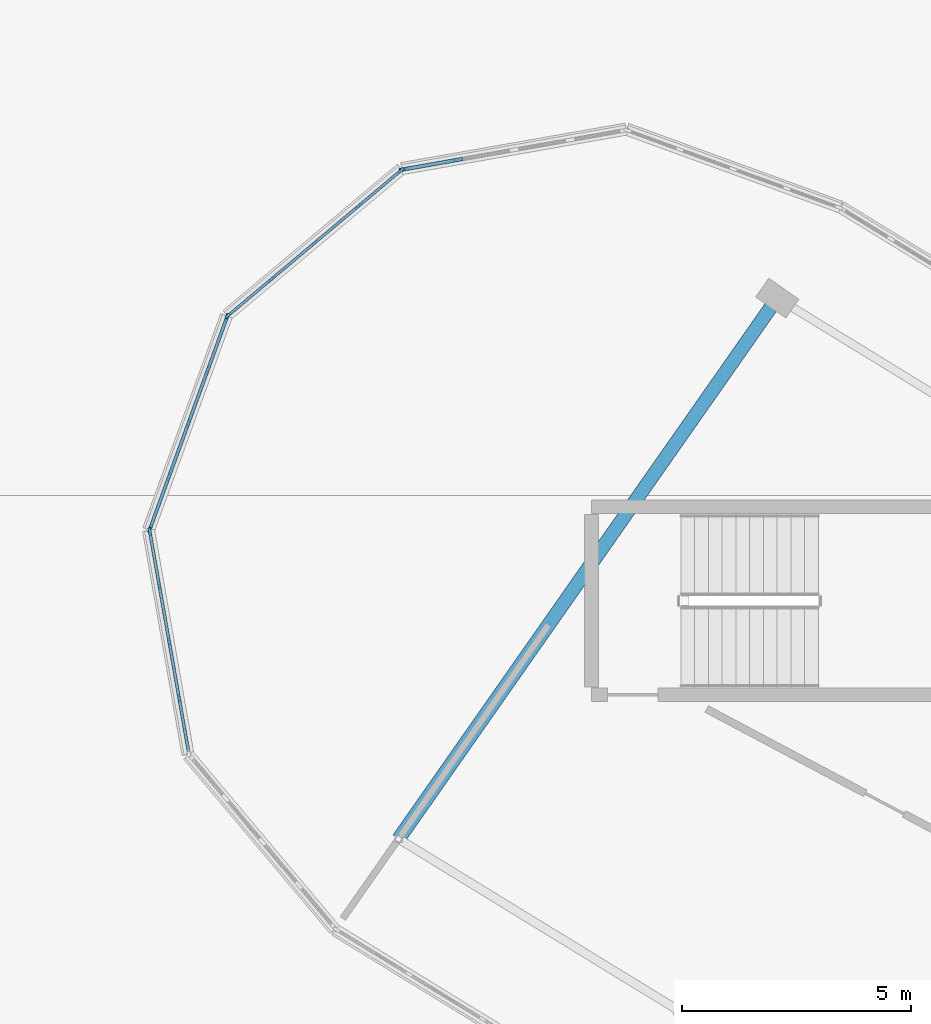
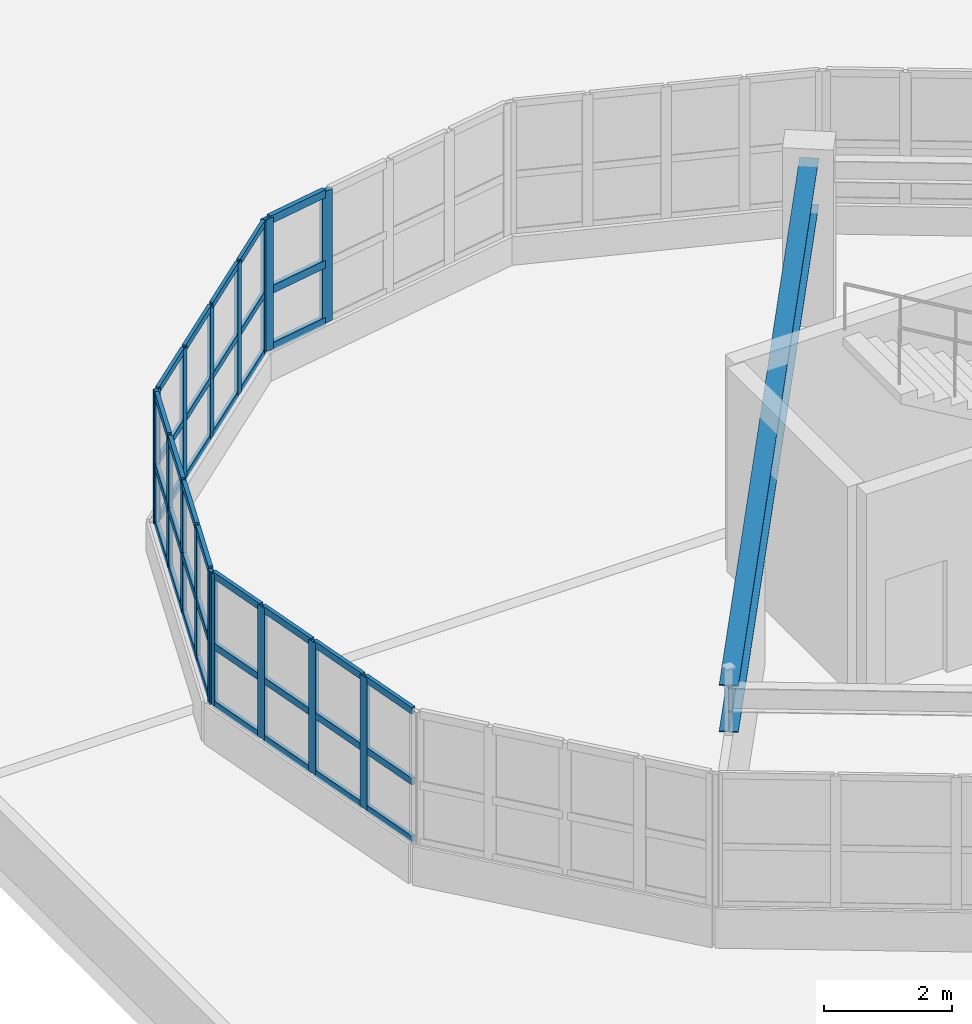
# One storey, part 27 of 128: 55 members, 1 beam, 4 elements without a shape of their own.
"""IFC4 building model written with IfcOpenShell, lengths in metres."""

from ifc_helpers import new_model, si_unit, direction, frame, origin, origin_2d, place, context, subcontext, project, spatial, rectangle, i_section, extrude, material, layer, layer_set, material_profile, profile_set, type_object, element, aggregate, save


model = new_model("IFC4")

# Units and contexts
model_context = context("Model", 3, precision=1e-05, world=origin(), true_north=direction((0.0, 1.0)))
body_context = subcontext(model_context, "Body", "Model", "MODEL_VIEW")
ifc_project = project(units=[si_unit("LENGTHUNIT", "METRE"), si_unit("AREAUNIT", "SQUARE_METRE"), si_unit("VOLUMEUNIT", "CUBIC_METRE"), si_unit("PLANEANGLEUNIT", "RADIAN"), si_unit("MASSUNIT", "GRAM", prefix="KILO")], contexts=[model_context])

# Site, building, storey
site_placement = place(None, origin())
site = spatial("IfcSite", under=ifc_project, at=site_placement, CompositionType="ELEMENT")
building_placement = place(site_placement, origin())
building = spatial("IfcBuilding", under=site, at=building_placement, Name="Tarnwether General Hospital", CompositionType="ELEMENT")
storey_placement = place(building_placement, frame((0.0, 0.0, 14.39990234375)))
storey = spatial("IfcBuildingStorey", under=building, at=storey_placement, Name="L03", CompositionType="ELEMENT", Elevation=14.39990234375)

# Beam
ifc_material_1 = material(Name="Steel Grade 350 (350 MPa)", Category="steel")
ifc_material_profile_1 = material_profile(ifc_material_1, i_section(OverallWidth=0.300048828125, OverallDepth=0.89990234375, WebThickness=0.011962890625, FlangeThickness=0.02001953125, at=origin_2d()), Name="900WB175")
ifc_profile_set_1 = profile_set([ifc_material_profile_1], Name="Steel Grade 350 (350 MPa)")
beam_type = type_object("IfcBeamType", Name="BM-G01", PredefinedType="BEAM", material=ifc_profile_set_1)
beam_placement = place(storey_placement, frame((58.0439453125, 14.506103515625, 3.110107421875), z_axis=(0.573596601347, 0.819137924237, 0.0), x_axis=(-0.819137924237, 0.573596601347, 0.0)))
element("IfcBeam", 1, at=beam_placement, inside=storey, type_object=beam_type, Name="Curved Ward SE Radial Girder BMG-L03-5804_1451-6630_2630-2098", PredefinedType="BEAM", context=body_context, shape_type="SweptSolid", body=[
    extrude(i_section(OverallWidth=0.300048828125, OverallDepth=0.89990234375, WebThickness=0.011962890625, FlangeThickness=0.02001953125, at=origin_2d()), origin(), (0.0, 0.0, 1.0), 14.400390625),
])

# Curtain wall, members
ifc_material_2 = material(Name="Anodised aluminium", Category="aluminium")
ifc_layer = layer(ifc_material_2, 0.159912109375)
ifc_layer_set = layer_set([ifc_layer], Name="Anodised aluminium")
curtain_wall_type = type_object("IfcCurtainWallType", Name="CW-04", PredefinedType="NOTDEFINED", material=ifc_layer_set)
curtain_wall_1_placement = place(storey_placement, origin())
curtain_wall_1 = element("IfcCurtainWall", 2, at=curtain_wall_1_placement, inside=storey, type_object=curtain_wall_type, Name="Curtain Wall CWG-L03-543_259-0182", PredefinedType="NOTDEFINED")
ifc_material_3 = material(Name="Anodised aluminium", Category="aluminium")
ifc_material_profile_2 = material_profile(ifc_material_3, rectangle(XDim=0.06005859375, YDim=0.159912109375, at=origin_2d()), Name="ALU-MUL-60x160")
ifc_profile_set_2 = profile_set([ifc_material_profile_2], Name="Anodised aluminium")
member_type_1 = type_object("IfcMemberType", Name="CW-ML1", PredefinedType="MULLION", material=ifc_profile_set_2)
member_1_placement = place(storey_placement, frame((54.3330078125, 25.92919921875, 1.050048828125), z_axis=(0.0, 0.0, 1.0), x_axis=(-0.64285227611, 0.765990176896, 0.0)))
member_1 = element("IfcMember", 3, at=member_1_placement, type_object=member_type_1, Name="CW-04 mullion 1", PredefinedType="MULLION", context=body_context, shape_type="SweptSolid", body=[
    extrude(rectangle(XDim=0.06005859375, YDim=0.159912109375, at=origin_2d()), origin(), (0.0, 0.0, 1.0), 2.510009765625),
])
member_2_placement = place(storey_placement, frame((55.26171875, 26.708740234375, 1.050048828125), z_axis=(0.0, 0.0, 1.0), x_axis=(-0.64285227611, 0.765990176896, 0.0)))
member_2 = element("IfcMember", 4, at=member_2_placement, type_object=member_type_1, Name="CW-04 mullion 2", PredefinedType="MULLION", context=body_context, shape_type="SweptSolid", body=[
    extrude(rectangle(XDim=0.06005859375, YDim=0.159912109375, at=origin_2d()), origin(), (0.0, 0.0, 1.0), 2.510009765625),
])
member_3_placement = place(storey_placement, frame((56.21337890625, 27.507568359375, 1.050048828125), z_axis=(0.0, 0.0, 1.0), x_axis=(-0.64285227611, 0.765990176896, 0.0)))
member_3 = element("IfcMember", 5, at=member_3_placement, type_object=member_type_1, Name="CW-04 mullion 3", PredefinedType="MULLION", context=body_context, shape_type="SweptSolid", body=[
    extrude(rectangle(XDim=0.06005859375, YDim=0.159912109375, at=origin_2d()), origin(), (0.0, 0.0, 1.0), 2.510009765625),
])
member_4_placement = place(storey_placement, frame((57.165283203125, 28.30615234375, 1.050048828125), z_axis=(0.0, 0.0, 1.0), x_axis=(-0.64285227611, 0.765990176896, 0.0)))
member_4 = element("IfcMember", 6, at=member_4_placement, type_object=member_type_1, Name="CW-04 mullion 4", PredefinedType="MULLION", context=body_context, shape_type="SweptSolid", body=[
    extrude(rectangle(XDim=0.06005859375, YDim=0.159912109375, at=origin_2d()), origin(), (0.0, 0.0, 1.0), 2.510009765625),
])
member_5_placement = place(storey_placement, frame((58.093994140625, 29.085693359375, 1.050048828125), z_axis=(0.0, 0.0, 1.0), x_axis=(-0.64285227611, 0.765990176896, 0.0)))
member_5 = element("IfcMember", 7, at=member_5_placement, type_object=member_type_1, Name="CW-04 mullion 5", PredefinedType="MULLION", context=body_context, shape_type="SweptSolid", body=[
    extrude(rectangle(XDim=0.06005859375, YDim=0.159912109375, at=origin_2d()), origin(), (0.0, 0.0, 1.0), 2.510009765625),
])

curtain_wall_2_placement = place(storey_placement, origin())
curtain_wall_2 = element("IfcCurtainWall", 8, at=curtain_wall_2_placement, inside=storey, type_object=curtain_wall_type, Name="Curtain Wall CWG-L03-526_212-0183", PredefinedType="NOTDEFINED")
ifc_material_4 = material(Name="Anodised aluminium", Category="aluminium")
ifc_material_profile_3 = material_profile(ifc_material_4, rectangle(XDim=0.070068359375, YDim=0.179931640625, at=origin_2d()), Name="ALU-MUL-70x180")
ifc_profile_set_3 = profile_set([ifc_material_profile_3], Name="Anodised aluminium")
member_type_2 = type_object("IfcMemberType", Name="CW-ML2", PredefinedType="MULLION", material=ifc_profile_set_3)
member_6_placement = place(storey_placement, frame((52.623046875, 21.27392578125, 1.050048828125), z_axis=(0.0, 0.0, 1.0), x_axis=(-0.939717006582, 0.341953136469, 0.0)))
member_6 = element("IfcMember", 9, at=member_6_placement, type_object=member_type_2, Name="CW-04 mullion 1", PredefinedType="MULLION", context=body_context, shape_type="SweptSolid", body=[
    extrude(rectangle(XDim=0.070068359375, YDim=0.179931640625, at=origin_2d()), origin(), (0.0, 0.0, 1.0), 2.510009765625),
])
member_7_placement = place(storey_placement, frame((53.03564453125, 22.408203125, 1.050048828125), z_axis=(0.0, 0.0, 1.0), x_axis=(-0.939717006582, 0.341953136469, 0.0)))
member_7 = element("IfcMember", 10, at=member_7_placement, type_object=member_type_2, Name="CW-04 mullion 2", PredefinedType="MULLION", context=body_context, shape_type="SweptSolid", body=[
    extrude(rectangle(XDim=0.070068359375, YDim=0.179931640625, at=origin_2d()), origin(), (0.0, 0.0, 1.0), 2.510009765625),
])
member_8_placement = place(storey_placement, frame((53.46044921875, 23.575439453125, 1.050048828125), z_axis=(0.0, 0.0, 1.0), x_axis=(-0.939717006582, 0.341953136469, 0.0)))
member_8 = element("IfcMember", 11, at=member_8_placement, type_object=member_type_2, Name="CW-04 mullion 3", PredefinedType="MULLION", context=body_context, shape_type="SweptSolid", body=[
    extrude(rectangle(XDim=0.070068359375, YDim=0.179931640625, at=origin_2d()), origin(), (0.0, 0.0, 1.0), 2.510009765625),
])
member_9_placement = place(storey_placement, frame((53.88525390625, 24.74267578125, 1.050048828125), z_axis=(0.0, 0.0, 1.0), x_axis=(-0.939717006582, 0.341953136469, 0.0)))
member_9 = element("IfcMember", 12, at=member_9_placement, type_object=member_type_2, Name="CW-04 mullion 4", PredefinedType="MULLION", context=body_context, shape_type="SweptSolid", body=[
    extrude(rectangle(XDim=0.070068359375, YDim=0.179931640625, at=origin_2d()), origin(), (0.0, 0.0, 1.0), 2.510009765625),
])
member_10_placement = place(storey_placement, frame((54.298095703125, 25.877197265625, 1.050048828125), z_axis=(0.0, 0.0, 1.0), x_axis=(-0.939717006582, 0.341953136469, 0.0)))
member_10 = element("IfcMember", 13, at=member_10_placement, type_object=member_type_2, Name="CW-04 mullion 5", PredefinedType="MULLION", context=body_context, shape_type="SweptSolid", body=[
    extrude(rectangle(XDim=0.070068359375, YDim=0.179931640625, at=origin_2d()), origin(), (0.0, 0.0, 1.0), 2.510009765625),
])

curtain_wall_3_placement = place(storey_placement, origin())
curtain_wall_3 = element("IfcCurtainWall", 14, at=curtain_wall_3_placement, inside=storey, type_object=curtain_wall_type, Name="Curtain Wall CWG-L03-535_163-0184", PredefinedType="NOTDEFINED")
ifc_material_5 = material(Name="Anodised aluminium", Category="aluminium")
ifc_material_profile_4 = material_profile(ifc_material_5, rectangle(XDim=0.06494140625, YDim=0.169921875, at=origin_2d()), Name="ALU-MUL-65x170")
ifc_profile_set_4 = profile_set([ifc_material_profile_4], Name="Anodised aluminium")
member_type_3 = type_object("IfcMemberType", Name="CW-ML3", PredefinedType="MULLION", material=ifc_profile_set_4)
member_11_placement = place(storey_placement, frame((53.257568359375, 17.570556640625, 1.050048828125), z_axis=(0.0, 0.0, 1.0), x_axis=(-0.984840230098, -0.173463890135, 0.0)))
member_11 = element("IfcMember", 15, at=member_11_placement, type_object=member_type_3, Name="CW-04 mullion 2", PredefinedType="MULLION", context=body_context, shape_type="SweptSolid", body=[
    extrude(rectangle(XDim=0.06494140625, YDim=0.169921875, at=origin_2d()), origin(), (0.0, 0.0, 1.0), 2.510009765625),
])
member_12_placement = place(storey_placement, frame((53.0419921875, 18.7939453125, 1.050048828125), z_axis=(0.0, 0.0, 1.0), x_axis=(-0.984840230098, -0.173463890135, 0.0)))
member_12 = element("IfcMember", 16, at=member_12_placement, type_object=member_type_3, Name="CW-04 mullion 3", PredefinedType="MULLION", context=body_context, shape_type="SweptSolid", body=[
    extrude(rectangle(XDim=0.06494140625, YDim=0.169921875, at=origin_2d()), origin(), (0.0, 0.0, 1.0), 2.510009765625),
])
member_13_placement = place(storey_placement, frame((52.826416015625, 20.017578125, 1.050048828125), z_axis=(0.0, 0.0, 1.0), x_axis=(-0.984840230098, -0.173463890135, 0.0)))
member_13 = element("IfcMember", 17, at=member_13_placement, type_object=member_type_3, Name="CW-04 mullion 4", PredefinedType="MULLION", context=body_context, shape_type="SweptSolid", body=[
    extrude(rectangle(XDim=0.06494140625, YDim=0.169921875, at=origin_2d()), origin(), (0.0, 0.0, 1.0), 2.510009765625),
])
member_14_placement = place(storey_placement, frame((52.61669921875, 21.208984375, 1.050048828125), z_axis=(0.0, 0.0, 1.0), x_axis=(-0.984840230098, -0.173463890135, 0.0)))
member_14 = element("IfcMember", 18, at=member_14_placement, type_object=member_type_3, Name="CW-04 mullion 5", PredefinedType="MULLION", context=body_context, shape_type="SweptSolid", body=[
    extrude(rectangle(XDim=0.06494140625, YDim=0.169921875, at=origin_2d()), origin(), (0.0, 0.0, 1.0), 2.510009765625),
])

curtain_wall_4_placement = place(storey_placement, origin())
curtain_wall_4 = element("IfcCurtainWall", 19, at=curtain_wall_4_placement, inside=storey, type_object=curtain_wall_type, Name="Curtain Wall CWG-L03-581_291-0181", PredefinedType="NOTDEFINED")
ifc_material_6 = material(Name="Anodised aluminium", Category="aluminium")
ifc_material_profile_5 = material_profile(ifc_material_6, rectangle(XDim=0.080078125, YDim=0.199951171875, at=origin_2d()), Name="ALU-MUL-80x200")
ifc_profile_set_5 = profile_set([ifc_material_profile_5], Name="Anodised aluminium")
member_type_4 = type_object("IfcMemberType", Name="CW-ML4", PredefinedType="MULLION", material=ifc_profile_set_5)
member_15_placement = place(storey_placement, frame((58.156494140625, 29.112060546875, 1.050048828125), z_axis=(0.0, 0.0, 1.0), x_axis=(-0.173659059054, 0.984805834268, 0.0)))
member_15 = element("IfcMember", 20, at=member_15_placement, type_object=member_type_4, Name="CW-04 mullion 1", PredefinedType="MULLION", context=body_context, shape_type="SweptSolid", body=[
    extrude(rectangle(XDim=0.080078125, YDim=0.199951171875, at=origin_2d()), origin(), (0.0, 0.0, 1.0), 2.510009765625),
])
member_16_placement = place(storey_placement, frame((59.340576171875, 29.32080078125, 1.050048828125), z_axis=(0.0, 0.0, 1.0), x_axis=(-0.173659059054, 0.984805834268, 0.0)))
member_16 = element("IfcMember", 21, at=member_16_placement, type_object=member_type_4, Name="CW-04 mullion 2", PredefinedType="MULLION", context=body_context, shape_type="SweptSolid", body=[
    extrude(rectangle(XDim=0.080078125, YDim=0.199951171875, at=origin_2d()), origin(), (0.0, 0.0, 1.0), 2.510009765625),
])

# Member
ifc_material_7 = material(Name="Anodised aluminium", Category="aluminium")
ifc_material_profile_6 = material_profile(ifc_material_7, rectangle(XDim=0.06005859375, YDim=0.1201171875, at=origin_2d()), Name="ALU-TRN-60x120")
ifc_profile_set_6 = profile_set([ifc_material_profile_6], Name="Anodised aluminium")
member_type_5 = type_object("IfcMemberType", Name="CW-TR1", PredefinedType="USERDEFINED", material=ifc_profile_set_6)
member_17_placement = place(storey_placement, frame((54.35595703125, 25.948486328125, 1.080078125), z_axis=(0.765959352555, 0.642889003043, 0.0), x_axis=(-0.642889003043, 0.765959352555, 0.0)))
member_17 = element("IfcMember", 22, at=member_17_placement, type_object=member_type_5, Name="CW-04 transom 1.1", ObjectType="TRANSOM", PredefinedType="USERDEFINED", context=body_context, shape_type="SweptSolid", body=[
    extrude(rectangle(XDim=0.06005859375, YDim=0.1201171875, at=origin_2d()), origin(), (0.0, 0.0, 1.0), 1.152587890625),
])

member_18_placement = place(storey_placement, frame((54.35595703125, 25.948486328125, 2.1796875), z_axis=(0.765959352555, 0.642889003043, 0.0), x_axis=(-0.642889003043, 0.765959352555, 0.0)))
member_18 = element("IfcMember", 23, at=member_18_placement, type_object=member_type_5, Name="CW-04 transom 1.2", ObjectType="TRANSOM", PredefinedType="USERDEFINED", context=body_context, shape_type="SweptSolid", body=[
    extrude(rectangle(XDim=0.06005859375, YDim=0.1201171875, at=origin_2d()), origin(), (0.0, 0.0, 1.0), 1.152587890625),
])

member_19_placement = place(storey_placement, frame((54.35595703125, 25.948486328125, 3.530029296875), z_axis=(0.765959352555, 0.642889003043, 0.0), x_axis=(-0.642889003043, 0.765959352555, 0.0)))
member_19 = element("IfcMember", 24, at=member_19_placement, type_object=member_type_5, Name="CW-04 transom 1.3", ObjectType="TRANSOM", PredefinedType="USERDEFINED", context=body_context, shape_type="SweptSolid", body=[
    extrude(rectangle(XDim=0.06005859375, YDim=0.1201171875, at=origin_2d()), origin(), (0.0, 0.0, 1.0), 1.152587890625),
])

member_20_placement = place(storey_placement, frame((55.28466796875, 26.72802734375, 1.080078125), z_axis=(0.765948837417, 0.642901530921, 0.0), x_axis=(-0.642901530921, 0.765948837417, 0.0)))
member_20 = element("IfcMember", 25, at=member_20_placement, type_object=member_type_5, Name="CW-04 transom 2.1", ObjectType="TRANSOM", PredefinedType="USERDEFINED", context=body_context, shape_type="SweptSolid", body=[
    extrude(rectangle(XDim=0.06005859375, YDim=0.1201171875, at=origin_2d()), origin(), (0.0, 0.0, 1.0), 1.1826171875),
])

member_21_placement = place(storey_placement, frame((55.28466796875, 26.72802734375, 2.1796875), z_axis=(0.765948837417, 0.642901530921, 0.0), x_axis=(-0.642901530921, 0.765948837417, 0.0)))
member_21 = element("IfcMember", 26, at=member_21_placement, type_object=member_type_5, Name="CW-04 transom 2.2", ObjectType="TRANSOM", PredefinedType="USERDEFINED", context=body_context, shape_type="SweptSolid", body=[
    extrude(rectangle(XDim=0.06005859375, YDim=0.1201171875, at=origin_2d()), origin(), (0.0, 0.0, 1.0), 1.1826171875),
])

member_22_placement = place(storey_placement, frame((55.28466796875, 26.72802734375, 3.530029296875), z_axis=(0.765948837417, 0.642901530921, 0.0), x_axis=(-0.642901530921, 0.765948837417, 0.0)))
member_22 = element("IfcMember", 27, at=member_22_placement, type_object=member_type_5, Name="CW-04 transom 2.3", ObjectType="TRANSOM", PredefinedType="USERDEFINED", context=body_context, shape_type="SweptSolid", body=[
    extrude(rectangle(XDim=0.06005859375, YDim=0.1201171875, at=origin_2d()), origin(), (0.0, 0.0, 1.0), 1.1826171875),
])

member_23_placement = place(storey_placement, frame((56.236572265625, 27.52685546875, 1.080078125), z_axis=(0.766050506006, 0.64278038415, 0.0), x_axis=(-0.64278038415, 0.766050506006, 0.0)))
member_23 = element("IfcMember", 28, at=member_23_placement, type_object=member_type_5, Name="CW-04 transom 3.1", ObjectType="TRANSOM", PredefinedType="USERDEFINED", context=body_context, shape_type="SweptSolid", body=[
    extrude(rectangle(XDim=0.06005859375, YDim=0.1201171875, at=origin_2d()), origin(), (0.0, 0.0, 1.0), 1.182373046875),
])

member_24_placement = place(storey_placement, frame((56.236572265625, 27.52685546875, 2.1796875), z_axis=(0.766050506006, 0.64278038415, 0.0), x_axis=(-0.64278038415, 0.766050506006, 0.0)))
member_24 = element("IfcMember", 29, at=member_24_placement, type_object=member_type_5, Name="CW-04 transom 3.2", ObjectType="TRANSOM", PredefinedType="USERDEFINED", context=body_context, shape_type="SweptSolid", body=[
    extrude(rectangle(XDim=0.06005859375, YDim=0.1201171875, at=origin_2d()), origin(), (0.0, 0.0, 1.0), 1.182373046875),
])

member_25_placement = place(storey_placement, frame((56.236572265625, 27.52685546875, 3.530029296875), z_axis=(0.766050506006, 0.64278038415, 0.0), x_axis=(-0.64278038415, 0.766050506006, 0.0)))
member_25 = element("IfcMember", 30, at=member_25_placement, type_object=member_type_5, Name="CW-04 transom 3.3", ObjectType="TRANSOM", PredefinedType="USERDEFINED", context=body_context, shape_type="SweptSolid", body=[
    extrude(rectangle(XDim=0.06005859375, YDim=0.1201171875, at=origin_2d()), origin(), (0.0, 0.0, 1.0), 1.182373046875),
])

member_26_placement = place(storey_placement, frame((57.188232421875, 28.325439453125, 1.080078125), z_axis=(0.765959352555, 0.642889003043, 0.0), x_axis=(-0.642889003043, 0.765959352555, 0.0)))
member_26 = element("IfcMember", 31, at=member_26_placement, type_object=member_type_5, Name="CW-04 transom 4.1", ObjectType="TRANSOM", PredefinedType="USERDEFINED", context=body_context, shape_type="SweptSolid", body=[
    extrude(rectangle(XDim=0.06005859375, YDim=0.1201171875, at=origin_2d()), origin(), (0.0, 0.0, 1.0), 1.152587890625),
])

member_27_placement = place(storey_placement, frame((57.188232421875, 28.325439453125, 2.1796875), z_axis=(0.765959352555, 0.642889003043, 0.0), x_axis=(-0.642889003043, 0.765959352555, 0.0)))
member_27 = element("IfcMember", 32, at=member_27_placement, type_object=member_type_5, Name="CW-04 transom 4.2", ObjectType="TRANSOM", PredefinedType="USERDEFINED", context=body_context, shape_type="SweptSolid", body=[
    extrude(rectangle(XDim=0.06005859375, YDim=0.1201171875, at=origin_2d()), origin(), (0.0, 0.0, 1.0), 1.152587890625),
])

member_28_placement = place(storey_placement, frame((57.188232421875, 28.325439453125, 3.530029296875), z_axis=(0.765959352555, 0.642889003043, 0.0), x_axis=(-0.642889003043, 0.765959352555, 0.0)))
member_28 = element("IfcMember", 33, at=member_28_placement, type_object=member_type_5, Name="CW-04 transom 4.3", ObjectType="TRANSOM", PredefinedType="USERDEFINED", context=body_context, shape_type="SweptSolid", body=[
    extrude(rectangle(XDim=0.06005859375, YDim=0.1201171875, at=origin_2d()), origin(), (0.0, 0.0, 1.0), 1.152587890625),
])

aggregate(curtain_wall_1, [member_1, member_2, member_3, member_4, member_5, member_17, member_18, member_19, member_20, member_21, member_22, member_23, member_24, member_25, member_26, member_27, member_28])

ifc_material_8 = material(Name="Anodised aluminium", Category="aluminium")
ifc_material_profile_7 = material_profile(ifc_material_8, rectangle(XDim=0.070068359375, YDim=0.139892578125, at=origin_2d()), Name="ALU-TRN-70x140")
ifc_profile_set_7 = profile_set([ifc_material_profile_7], Name="Anodised aluminium")
member_type_6 = type_object("IfcMemberType", Name="CW-TR2", PredefinedType="USERDEFINED", material=ifc_profile_set_7)
member_29_placement = place(storey_placement, frame((52.635009765625, 21.306884765625, 1.085205078125), z_axis=(0.341881000608, 0.939743252928, 0.0), x_axis=(-0.939743252928, 0.341881000608, 0.0)))
member_29 = element("IfcMember", 34, at=member_29_placement, type_object=member_type_6, Name="CW-04 transom 1.1", ObjectType="TRANSOM", PredefinedType="USERDEFINED", context=body_context, shape_type="SweptSolid", body=[
    extrude(rectangle(XDim=0.070068359375, YDim=0.139892578125, at=origin_2d()), origin(), (0.0, 0.0, 1.0), 1.136962890625),
])

member_30_placement = place(storey_placement, frame((52.635009765625, 21.306884765625, 2.1796875), z_axis=(0.341881000608, 0.939743252928, 0.0), x_axis=(-0.939743252928, 0.341881000608, 0.0)))
member_30 = element("IfcMember", 35, at=member_30_placement, type_object=member_type_6, Name="CW-04 transom 1.2", ObjectType="TRANSOM", PredefinedType="USERDEFINED", context=body_context, shape_type="SweptSolid", body=[
    extrude(rectangle(XDim=0.070068359375, YDim=0.139892578125, at=origin_2d()), origin(), (0.0, 0.0, 1.0), 1.136962890625),
])

member_31_placement = place(storey_placement, frame((52.635009765625, 21.306884765625, 3.525146484375), z_axis=(0.341881000608, 0.939743252928, 0.0), x_axis=(-0.939743252928, 0.341881000608, 0.0)))
member_31 = element("IfcMember", 36, at=member_31_placement, type_object=member_type_6, Name="CW-04 transom 1.3", ObjectType="TRANSOM", PredefinedType="USERDEFINED", context=body_context, shape_type="SweptSolid", body=[
    extrude(rectangle(XDim=0.070068359375, YDim=0.139892578125, at=origin_2d()), origin(), (0.0, 0.0, 1.0), 1.136962890625),
])

member_32_placement = place(storey_placement, frame((53.047607421875, 22.441162109375, 1.085205078125), z_axis=(0.341977164717, 0.939708262607, 0.0), x_axis=(-0.939708262607, 0.341977164717, 0.0)))
member_32 = element("IfcMember", 37, at=member_32_placement, type_object=member_type_6, Name="CW-04 transom 2.1", ObjectType="TRANSOM", PredefinedType="USERDEFINED", context=body_context, shape_type="SweptSolid", body=[
    extrude(rectangle(XDim=0.070068359375, YDim=0.139892578125, at=origin_2d()), origin(), (0.0, 0.0, 1.0), 1.172119140625),
])

member_33_placement = place(storey_placement, frame((53.047607421875, 22.441162109375, 2.1796875), z_axis=(0.341977164717, 0.939708262607, 0.0), x_axis=(-0.939708262607, 0.341977164717, 0.0)))
member_33 = element("IfcMember", 38, at=member_33_placement, type_object=member_type_6, Name="CW-04 transom 2.2", ObjectType="TRANSOM", PredefinedType="USERDEFINED", context=body_context, shape_type="SweptSolid", body=[
    extrude(rectangle(XDim=0.070068359375, YDim=0.139892578125, at=origin_2d()), origin(), (0.0, 0.0, 1.0), 1.172119140625),
])

member_34_placement = place(storey_placement, frame((53.047607421875, 22.441162109375, 3.525146484375), z_axis=(0.341977164717, 0.939708262607, 0.0), x_axis=(-0.939708262607, 0.341977164717, 0.0)))
member_34 = element("IfcMember", 39, at=member_34_placement, type_object=member_type_6, Name="CW-04 transom 2.3", ObjectType="TRANSOM", PredefinedType="USERDEFINED", context=body_context, shape_type="SweptSolid", body=[
    extrude(rectangle(XDim=0.070068359375, YDim=0.139892578125, at=origin_2d()), origin(), (0.0, 0.0, 1.0), 1.172119140625),
])

member_35_placement = place(storey_placement, frame((53.472412109375, 23.6083984375, 1.085205078125), z_axis=(0.341977164717, 0.939708262607, 0.0), x_axis=(-0.939708262607, 0.341977164717, 0.0)))
member_35 = element("IfcMember", 40, at=member_35_placement, type_object=member_type_6, Name="CW-04 transom 3.1", ObjectType="TRANSOM", PredefinedType="USERDEFINED", context=body_context, shape_type="SweptSolid", body=[
    extrude(rectangle(XDim=0.070068359375, YDim=0.139892578125, at=origin_2d()), origin(), (0.0, 0.0, 1.0), 1.172119140625),
])

member_36_placement = place(storey_placement, frame((53.472412109375, 23.6083984375, 2.1796875), z_axis=(0.341977164717, 0.939708262607, 0.0), x_axis=(-0.939708262607, 0.341977164717, 0.0)))
member_36 = element("IfcMember", 41, at=member_36_placement, type_object=member_type_6, Name="CW-04 transom 3.2", ObjectType="TRANSOM", PredefinedType="USERDEFINED", context=body_context, shape_type="SweptSolid", body=[
    extrude(rectangle(XDim=0.070068359375, YDim=0.139892578125, at=origin_2d()), origin(), (0.0, 0.0, 1.0), 1.172119140625),
])

member_37_placement = place(storey_placement, frame((53.472412109375, 23.6083984375, 3.525146484375), z_axis=(0.341977164717, 0.939708262607, 0.0), x_axis=(-0.939708262607, 0.341977164717, 0.0)))
member_37 = element("IfcMember", 42, at=member_37_placement, type_object=member_type_6, Name="CW-04 transom 3.3", ObjectType="TRANSOM", PredefinedType="USERDEFINED", context=body_context, shape_type="SweptSolid", body=[
    extrude(rectangle(XDim=0.070068359375, YDim=0.139892578125, at=origin_2d()), origin(), (0.0, 0.0, 1.0), 1.172119140625),
])

member_38_placement = place(storey_placement, frame((53.897216796875, 24.775634765625, 1.085205078125), z_axis=(0.342001618739, 0.939699362977, 0.0), x_axis=(-0.939699362977, 0.342001618739, 0.0)))
member_38 = element("IfcMember", 43, at=member_38_placement, type_object=member_type_6, Name="CW-04 transom 4.1", ObjectType="TRANSOM", PredefinedType="USERDEFINED", context=body_context, shape_type="SweptSolid", body=[
    extrude(rectangle(XDim=0.070068359375, YDim=0.139892578125, at=origin_2d()), origin(), (0.0, 0.0, 1.0), 1.13720703125),
])

member_39_placement = place(storey_placement, frame((53.897216796875, 24.775634765625, 2.1796875), z_axis=(0.342001618739, 0.939699362977, 0.0), x_axis=(-0.939699362977, 0.342001618739, 0.0)))
member_39 = element("IfcMember", 44, at=member_39_placement, type_object=member_type_6, Name="CW-04 transom 4.2", ObjectType="TRANSOM", PredefinedType="USERDEFINED", context=body_context, shape_type="SweptSolid", body=[
    extrude(rectangle(XDim=0.070068359375, YDim=0.139892578125, at=origin_2d()), origin(), (0.0, 0.0, 1.0), 1.13720703125),
])

member_40_placement = place(storey_placement, frame((53.897216796875, 24.775634765625, 3.525146484375), z_axis=(0.342001618739, 0.939699362977, 0.0), x_axis=(-0.939699362977, 0.342001618739, 0.0)))
member_40 = element("IfcMember", 45, at=member_40_placement, type_object=member_type_6, Name="CW-04 transom 4.3", ObjectType="TRANSOM", PredefinedType="USERDEFINED", context=body_context, shape_type="SweptSolid", body=[
    extrude(rectangle(XDim=0.070068359375, YDim=0.139892578125, at=origin_2d()), origin(), (0.0, 0.0, 1.0), 1.13720703125),
])

aggregate(curtain_wall_2, [member_6, member_7, member_8, member_9, member_10, member_29, member_30, member_31, member_32, member_33, member_34, member_35, member_36, member_37, member_38, member_39, member_40])

ifc_material_9 = material(Name="Anodised aluminium", Category="aluminium")
ifc_material_profile_8 = material_profile(ifc_material_9, rectangle(XDim=0.06494140625, YDim=0.1298828125, at=origin_2d()), Name="ALU-TRN-65x130")
ifc_profile_set_8 = profile_set([ifc_material_profile_8], Name="Anodised aluminium")
member_type_7 = type_object("IfcMemberType", Name="CW-TR3", PredefinedType="USERDEFINED", material=ifc_profile_set_8)
member_41_placement = place(storey_placement, frame((53.461669921875, 16.4111328125, 1.08251953125), z_axis=(-0.173383838773, 0.984854326513, 0.0), x_axis=(-0.984854326513, -0.173383838773, 0.0)))
member_41 = element("IfcMember", 46, at=member_41_placement, type_object=member_type_7, Name="CW-04 transom 1.1", ObjectType="TRANSOM", PredefinedType="USERDEFINED", context=body_context, shape_type="SweptSolid", body=[
    extrude(rectangle(XDim=0.06494140625, YDim=0.1298828125, at=origin_2d()), origin(), (0.0, 0.0, 1.0), 1.144775390625),
])

member_42_placement = place(storey_placement, frame((53.461669921875, 16.4111328125, 2.1796875), z_axis=(-0.173383838773, 0.984854326513, 0.0), x_axis=(-0.984854326513, -0.173383838773, 0.0)))
member_42 = element("IfcMember", 47, at=member_42_placement, type_object=member_type_7, Name="CW-04 transom 1.2", ObjectType="TRANSOM", PredefinedType="USERDEFINED", context=body_context, shape_type="SweptSolid", body=[
    extrude(rectangle(XDim=0.06494140625, YDim=0.1298828125, at=origin_2d()), origin(), (0.0, 0.0, 1.0), 1.144775390625),
])

member_43_placement = place(storey_placement, frame((53.461669921875, 16.4111328125, 3.527587890625), z_axis=(-0.173383838773, 0.984854326513, 0.0), x_axis=(-0.984854326513, -0.173383838773, 0.0)))
member_43 = element("IfcMember", 48, at=member_43_placement, type_object=member_type_7, Name="CW-04 transom 1.3", ObjectType="TRANSOM", PredefinedType="USERDEFINED", context=body_context, shape_type="SweptSolid", body=[
    extrude(rectangle(XDim=0.06494140625, YDim=0.1298828125, at=origin_2d()), origin(), (0.0, 0.0, 1.0), 1.144775390625),
])

member_44_placement = place(storey_placement, frame((53.251953125, 17.6025390625, 1.08251953125), z_axis=(-0.173572388329, 0.98482111371, 0.0), x_axis=(-0.98482111371, -0.173572388329, 0.0)))
member_44 = element("IfcMember", 49, at=member_44_placement, type_object=member_type_7, Name="CW-04 transom 2.1", ObjectType="TRANSOM", PredefinedType="USERDEFINED", context=body_context, shape_type="SweptSolid", body=[
    extrude(rectangle(XDim=0.06494140625, YDim=0.1298828125, at=origin_2d()), origin(), (0.0, 0.0, 1.0), 1.17724609375),
])

member_45_placement = place(storey_placement, frame((53.251953125, 17.6025390625, 2.1796875), z_axis=(-0.173572388329, 0.98482111371, 0.0), x_axis=(-0.98482111371, -0.173572388329, 0.0)))
member_45 = element("IfcMember", 50, at=member_45_placement, type_object=member_type_7, Name="CW-04 transom 2.2", ObjectType="TRANSOM", PredefinedType="USERDEFINED", context=body_context, shape_type="SweptSolid", body=[
    extrude(rectangle(XDim=0.06494140625, YDim=0.1298828125, at=origin_2d()), origin(), (0.0, 0.0, 1.0), 1.17724609375),
])

member_46_placement = place(storey_placement, frame((53.251953125, 17.6025390625, 3.527587890625), z_axis=(-0.173572388329, 0.98482111371, 0.0), x_axis=(-0.98482111371, -0.173572388329, 0.0)))
member_46 = element("IfcMember", 51, at=member_46_placement, type_object=member_type_7, Name="CW-04 transom 2.3", ObjectType="TRANSOM", PredefinedType="USERDEFINED", context=body_context, shape_type="SweptSolid", body=[
    extrude(rectangle(XDim=0.06494140625, YDim=0.1298828125, at=origin_2d()), origin(), (0.0, 0.0, 1.0), 1.17724609375),
])

member_47_placement = place(storey_placement, frame((53.036376953125, 18.825927734375, 1.08251953125), z_axis=(-0.173536947338, 0.984827359444, 0.0), x_axis=(-0.984827359444, -0.173536947338, 0.0)))
member_47 = element("IfcMember", 52, at=member_47_placement, type_object=member_type_7, Name="CW-04 transom 3.1", ObjectType="TRANSOM", PredefinedType="USERDEFINED", context=body_context, shape_type="SweptSolid", body=[
    extrude(rectangle(XDim=0.06494140625, YDim=0.1298828125, at=origin_2d()), origin(), (0.0, 0.0, 1.0), 1.177490234375),
])

member_48_placement = place(storey_placement, frame((53.036376953125, 18.825927734375, 2.1796875), z_axis=(-0.173536947338, 0.984827359444, 0.0), x_axis=(-0.984827359444, -0.173536947338, 0.0)))
member_48 = element("IfcMember", 53, at=member_48_placement, type_object=member_type_7, Name="CW-04 transom 3.2", ObjectType="TRANSOM", PredefinedType="USERDEFINED", context=body_context, shape_type="SweptSolid", body=[
    extrude(rectangle(XDim=0.06494140625, YDim=0.1298828125, at=origin_2d()), origin(), (0.0, 0.0, 1.0), 1.177490234375),
])

member_49_placement = place(storey_placement, frame((53.036376953125, 18.825927734375, 3.527587890625), z_axis=(-0.173536947338, 0.984827359444, 0.0), x_axis=(-0.984827359444, -0.173536947338, 0.0)))
member_49 = element("IfcMember", 54, at=member_49_placement, type_object=member_type_7, Name="CW-04 transom 3.3", ObjectType="TRANSOM", PredefinedType="USERDEFINED", context=body_context, shape_type="SweptSolid", body=[
    extrude(rectangle(XDim=0.06494140625, YDim=0.1298828125, at=origin_2d()), origin(), (0.0, 0.0, 1.0), 1.177490234375),
])

member_50_placement = place(storey_placement, frame((52.82080078125, 20.049560546875, 1.08251953125), z_axis=(-0.173383838773, 0.984854326513, 0.0), x_axis=(-0.984854326513, -0.173383838773, 0.0)))
member_50 = element("IfcMember", 55, at=member_50_placement, type_object=member_type_7, Name="CW-04 transom 4.1", ObjectType="TRANSOM", PredefinedType="USERDEFINED", context=body_context, shape_type="SweptSolid", body=[
    extrude(rectangle(XDim=0.06494140625, YDim=0.1298828125, at=origin_2d()), origin(), (0.0, 0.0, 1.0), 1.144775390625),
])

member_51_placement = place(storey_placement, frame((52.82080078125, 20.049560546875, 2.1796875), z_axis=(-0.173383838773, 0.984854326513, 0.0), x_axis=(-0.984854326513, -0.173383838773, 0.0)))
member_51 = element("IfcMember", 56, at=member_51_placement, type_object=member_type_7, Name="CW-04 transom 4.2", ObjectType="TRANSOM", PredefinedType="USERDEFINED", context=body_context, shape_type="SweptSolid", body=[
    extrude(rectangle(XDim=0.06494140625, YDim=0.1298828125, at=origin_2d()), origin(), (0.0, 0.0, 1.0), 1.144775390625),
])

member_52_placement = place(storey_placement, frame((52.82080078125, 20.049560546875, 3.527587890625), z_axis=(-0.173383838773, 0.984854326513, 0.0), x_axis=(-0.984854326513, -0.173383838773, 0.0)))
member_52 = element("IfcMember", 57, at=member_52_placement, type_object=member_type_7, Name="CW-04 transom 4.3", ObjectType="TRANSOM", PredefinedType="USERDEFINED", context=body_context, shape_type="SweptSolid", body=[
    extrude(rectangle(XDim=0.06494140625, YDim=0.1298828125, at=origin_2d()), origin(), (0.0, 0.0, 1.0), 1.144775390625),
])

aggregate(curtain_wall_3, [member_11, member_12, member_13, member_14, member_41, member_42, member_43, member_44, member_45, member_46, member_47, member_48, member_49, member_50, member_51, member_52])

ifc_material_10 = material(Name="Anodised aluminium", Category="aluminium")
ifc_material_profile_9 = material_profile(ifc_material_10, rectangle(XDim=0.080078125, YDim=0.14990234375, at=origin_2d()), Name="ALU-TRN-80x150")
ifc_profile_set_9 = profile_set([ifc_material_profile_9], Name="Anodised aluminium")
member_type_8 = type_object("IfcMemberType", Name="CW-TR4", PredefinedType="USERDEFINED", material=ifc_profile_set_9)
member_53_placement = place(storey_placement, frame((58.19580078125, 29.118896484375, 1.090087890625), z_axis=(0.984816391651, 0.173599178383, 0.0), x_axis=(-0.173599178383, 0.984816391651, 0.0)))
member_53 = element("IfcMember", 58, at=member_53_placement, type_object=member_type_8, Name="CW-04 transom 1.1", ObjectType="TRANSOM", PredefinedType="USERDEFINED", context=body_context, shape_type="SweptSolid", body=[
    extrude(rectangle(XDim=0.080078125, YDim=0.14990234375, at=origin_2d()), origin(), (0.0, 0.0, 1.0), 1.122314453125),
])

member_54_placement = place(storey_placement, frame((58.19580078125, 29.118896484375, 2.1796875), z_axis=(0.984816391651, 0.173599178383, 0.0), x_axis=(-0.173599178383, 0.984816391651, 0.0)))
member_54 = element("IfcMember", 59, at=member_54_placement, type_object=member_type_8, Name="CW-04 transom 1.2", ObjectType="TRANSOM", PredefinedType="USERDEFINED", context=body_context, shape_type="SweptSolid", body=[
    extrude(rectangle(XDim=0.080078125, YDim=0.14990234375, at=origin_2d()), origin(), (0.0, 0.0, 1.0), 1.122314453125),
])

member_55_placement = place(storey_placement, frame((58.19580078125, 29.118896484375, 3.52001953125), z_axis=(0.984816391651, 0.173599178383, 0.0), x_axis=(-0.173599178383, 0.984816391651, 0.0)))
member_55 = element("IfcMember", 60, at=member_55_placement, type_object=member_type_8, Name="CW-04 transom 1.3", ObjectType="TRANSOM", PredefinedType="USERDEFINED", context=body_context, shape_type="SweptSolid", body=[
    extrude(rectangle(XDim=0.080078125, YDim=0.14990234375, at=origin_2d()), origin(), (0.0, 0.0, 1.0), 1.122314453125),
])

aggregate(curtain_wall_4, [member_15, member_16, member_53, member_54, member_55])

save(model, "model.ifc")
